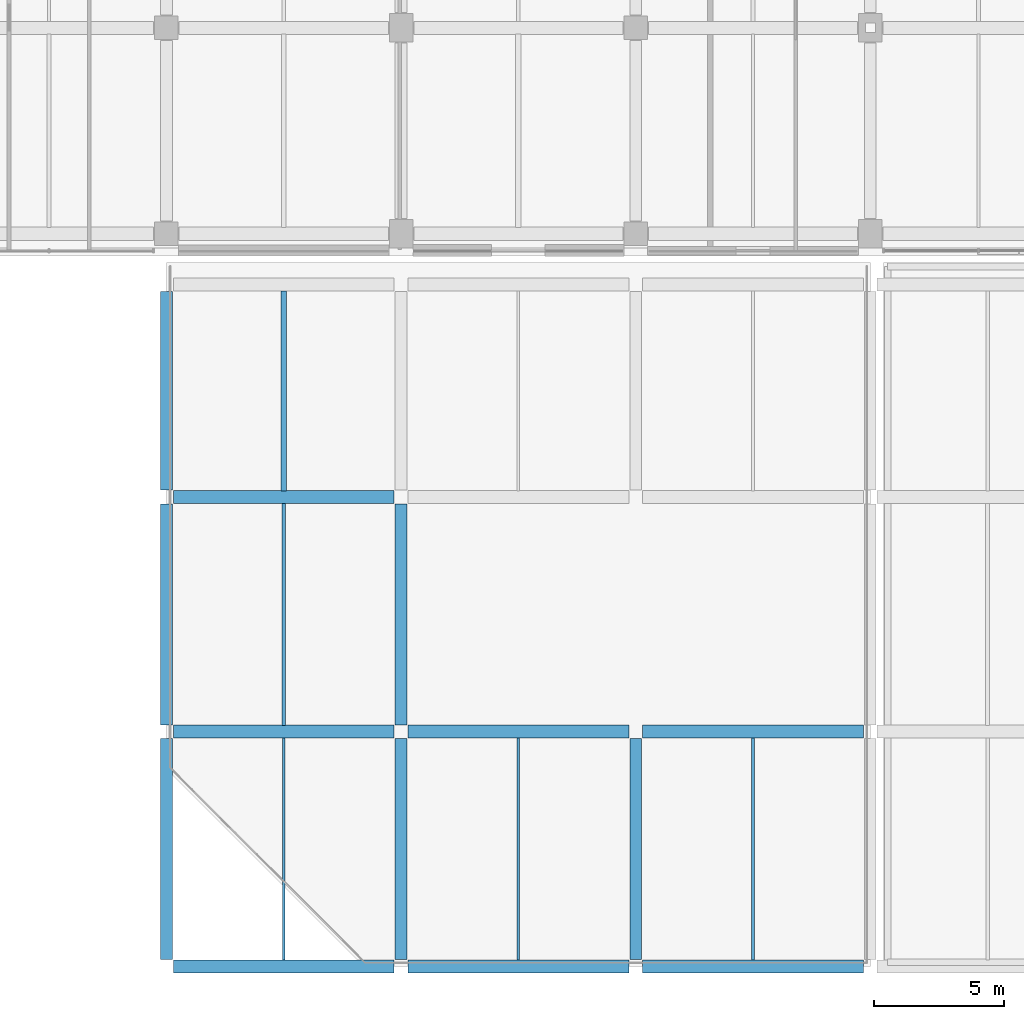
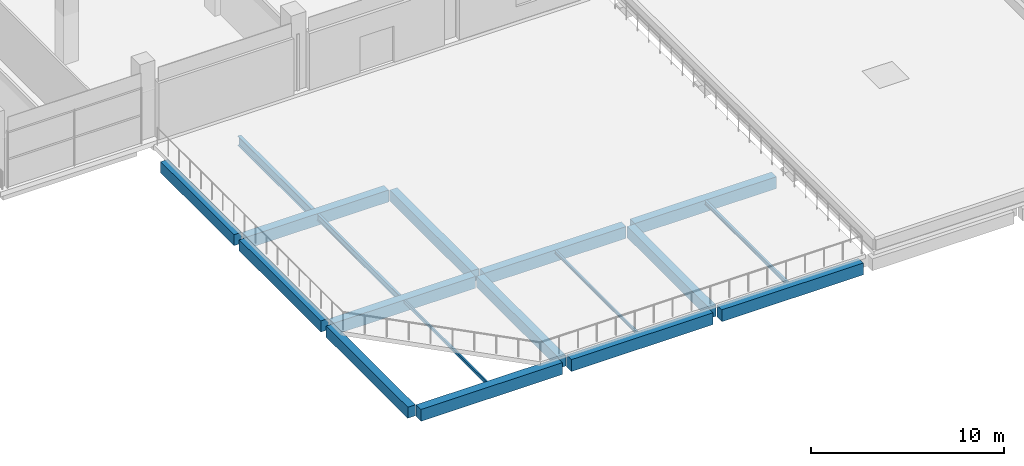
# One storey, part 3 of 82: 18 beams.
"""IFC4 building model written with IfcOpenShell, lengths in metres."""

import ifcopenshell
import ifcopenshell.guid

model = None  # the IFC model being written
_history = None  # IfcOwnerHistory: only IFC2X3 demands one
_inside = {}  # id of a spatial element -> (the spatial element, [elements in it])
_under = {}  # id of a project, library or spatial element -> (it, [spatial elements below it])
_declared = {}  # id of a project -> (the project, [libraries it declares])
_typed = {}  # id of a type object -> (the type object, [elements of that type])
_made_of = {}  # id of a material, layer set ... -> (it, [elements and type objects made of it])


def new_model(schema):
    """Start an empty IFC model of exactly this schema.

    Asked for "IFC4X3", IfcOpenShell would pick the latest addendum, in which some entities
    have other attributes; the version numbers below select the first issue.
    IFC2X3 requires an IfcOwnerHistory on every rooted entity: one is made here for all.
    """
    global model, _history
    if schema == "IFC4X3":
        model = ifcopenshell.file(schema_version=(4, 3, 0, 0))
    else:
        model = ifcopenshell.file(schema=schema)
    _inside.clear()
    _under.clear()
    _declared.clear()
    _typed.clear()
    _made_of.clear()
    _history = None
    if model.schema == "IFC2X3":
        org = make("IfcOrganization", Name="unknown")
        user = make(
            "IfcPersonAndOrganization",
            ThePerson=make("IfcPerson", FamilyName="unknown"),
            TheOrganization=org,
        )
        app = make(
            "IfcApplication",
            ApplicationDeveloper=org,
            Version="unknown",
            ApplicationFullName="unknown",
            ApplicationIdentifier="unknown",
        )
        _history = make(
            "IfcOwnerHistory",
            OwningUser=user,
            OwningApplication=app,
            ChangeAction="ADDED",
            CreationDate=0,
        )
    return model


def make(cls, **values):
    """One entity of the class cls with the attributes given. An attribute that is None is left unset."""
    return model.create_entity(
        cls, **{name: value for name, value in values.items() if value is not None}
    )


def rooted(cls, **values):
    """An entity with a GlobalId (a new one), such as an element, a storey or a relation."""
    return make(cls, GlobalId=ifcopenshell.guid.new(), OwnerHistory=_history, **values)


def si_unit(unit_type, name, prefix=None):
    """IfcSIUnit, for example si_unit("LENGTHUNIT", "METRE", prefix="MILLI")."""
    return make("IfcSIUnit", UnitType=unit_type, Prefix=prefix, Name=name)


def assignment(units):
    """IfcUnitAssignment: the units of a project."""
    return None if units is None else make("IfcUnitAssignment", Units=units)


def point(xyz):
    """IfcCartesianPoint."""
    return None if xyz is None else make("IfcCartesianPoint", Coordinates=xyz)


def direction(xyz):
    """IfcDirection."""
    return None if xyz is None else make("IfcDirection", DirectionRatios=xyz)


def frame(location, z_axis=None, x_axis=None):
    """IfcAxis2Placement3D, a coordinate frame: its origin and axes. An axis left out is left unset."""
    return make(
        "IfcAxis2Placement3D",
        Location=point(location),
        Axis=direction(z_axis),
        RefDirection=direction(x_axis),
    )


def frame_2d(location, x_axis=None):
    """IfcAxis2Placement2D, a coordinate frame in the plane: its origin and x axis."""
    return make(
        "IfcAxis2Placement2D", Location=point(location), RefDirection=direction(x_axis)
    )


def origin():
    """The frame at (0, 0, 0) with its axes left unset."""
    return frame((0.0, 0.0, 0.0))


def origin_2d():
    """The frame at (0, 0) in the plane with its x axis left unset."""
    return frame_2d((0.0, 0.0))


def place(relative_to, where):
    """IfcLocalPlacement: puts the frame where relative to a parent placement (None: the world)."""
    return make(
        "IfcLocalPlacement", PlacementRelTo=relative_to, RelativePlacement=where
    )


def context(
    kind, dimensions, precision=None, world=None, true_north=None, identifier=None
):
    """IfcGeometricRepresentationContext, for example the 3D "Model" context."""
    return make(
        "IfcGeometricRepresentationContext",
        ContextIdentifier=identifier,
        ContextType=kind,
        CoordinateSpaceDimension=dimensions,
        Precision=precision,
        WorldCoordinateSystem=world,
        TrueNorth=true_north,
    )


def subcontext(parent, identifier, kind, view, scale=None):
    """IfcGeometricRepresentationSubContext, for example "Body" below "Model"."""
    return make(
        "IfcGeometricRepresentationSubContext",
        ContextIdentifier=identifier,
        ContextType=kind,
        ParentContext=parent,
        TargetScale=scale,
        TargetView=view,
    )


def project(units=None, contexts=None):
    """IfcProject with its units and contexts."""
    return rooted(
        "IfcProject",
        Name="project",
        RepresentationContexts=contexts,
        UnitsInContext=assignment(units),
    )


def spatial(cls, under=None, at=None, **own):
    """A site, building, storey or space (cls), placed at a placement, below another one or the project."""
    s = rooted(cls, ObjectPlacement=at, **own)
    if under is not None:
        _under.setdefault(under.id(), (under, []))[1].append(s)
    return s


def profile(cls, at=None, kind="AREA", **sizes):
    """A parametric profile (cls). Its sizes go by their IFC names, for example OverallWidth=200.0."""
    return make(cls, ProfileType=kind, Position=at, **sizes)


def rectangle(**sizes):
    """IfcRectangleProfileDef."""
    return profile("IfcRectangleProfileDef", **sizes)


def hollow_rectangle(**sizes):
    """IfcRectangleHollowProfileDef."""
    return profile("IfcRectangleHollowProfileDef", **sizes)


def i_section(**sizes):
    """IfcIShapeProfileDef."""
    return profile("IfcIShapeProfileDef", **sizes)


def extrude(swept, where, along, depth):
    """IfcExtrudedAreaSolid: the profile swept, set in the frame where, extruded along a direction by depth."""
    return make(
        "IfcExtrudedAreaSolid",
        SweptArea=swept,
        Position=where,
        ExtrudedDirection=direction(along),
        Depth=depth,
    )


def shape(context_of_items, identifier, shape_type, items):
    """IfcShapeRepresentation: the items that make up one representation, for example the "Body"."""
    return make(
        "IfcShapeRepresentation",
        ContextOfItems=context_of_items,
        RepresentationIdentifier=identifier,
        RepresentationType=shape_type,
        Items=items,
    )


def material(Name=None, Category=None):
    """IfcMaterial."""
    return make("IfcMaterial", Name=Name, Category=Category)


def material_profile(
    of_material, cross_section, Name=None, Category=None, Priority=None
):
    """IfcMaterialProfile: a cross section and its material."""
    return make(
        "IfcMaterialProfile",
        Name=Name,
        Material=of_material,
        Profile=cross_section,
        Priority=Priority,
        Category=Category,
    )


def profile_set(profiles, Name=None, composite=None):
    """IfcMaterialProfileSet."""
    return make(
        "IfcMaterialProfileSet",
        Name=Name,
        MaterialProfiles=profiles,
        CompositeProfile=composite,
    )


def made_of(thing, what):
    """Note that an element or type object is made of a material, layer set ...; save() writes the relation."""
    if what is not None:
        _made_of.setdefault(what.id(), (what, []))[1].append(thing)
    return thing


def type_object(cls, material=None, **own):
    """A type object (cls), such as IfcWallType, which elements share."""
    return made_of(rooted(cls, **own), material)


def element(
    cls,
    number,
    at=None,
    inside=None,
    cuts=None,
    type_object=None,
    material=None,
    context=None,
    identifier="Body",
    shape_type=None,
    held_by="IfcProductDefinitionShape",
    body=None,
    shapes=None,
    **own,
):
    """One element of the class cls, such as IfcWall. Its Tag is "e" and its number.

    at: its placement. inside: the storey or other place that contains it. cuts: it is an
    opening in that element (IfcRelVoidsElement). A single representation is given by context,
    identifier, shape_type and body (its items); several are given by shapes. held_by: the class
    of the entity that holds the representations. save() writes the other relations.
    """
    e = rooted(cls, Tag="e%d" % number, ObjectPlacement=at, **own)
    if body is not None:
        shapes = [shape(context, identifier, shape_type, body)]
    if shapes is not None:
        e.Representation = make(held_by, Representations=shapes)
    if inside is not None:
        _inside.setdefault(inside.id(), (inside, []))[1].append(e)
    if cuts is not None:
        rooted(
            "IfcRelVoidsElement", RelatingBuildingElement=cuts, RelatedOpeningElement=e
        )
    if type_object is not None:
        _typed.setdefault(type_object.id(), (type_object, []))[1].append(e)
    return made_of(e, material)


def aggregate(whole, parts):
    """IfcRelAggregates: a whole, such as a stair, and the parts it consists of."""
    return rooted("IfcRelAggregates", RelatingObject=whole, RelatedObjects=parts)


def save(model, path):
    """Write the relations noted so far, then the file.

    IfcRelAggregates (storeys below a building ...), IfcRelContainedInSpatialStructure (elements
    in a storey), IfcRelDefinesByType, IfcRelAssociatesMaterial and IfcRelDeclares: one each for
    every whole, place, type object, material and project.
    """
    for whole, parts in _under.values():
        aggregate(whole, parts)
    for where, things in _inside.values():
        rooted(
            "IfcRelContainedInSpatialStructure",
            RelatedElements=things,
            RelatingStructure=where,
        )
    for kind, things in _typed.values():
        rooted("IfcRelDefinesByType", RelatedObjects=things, RelatingType=kind)
    for what, things in _made_of.values():
        rooted("IfcRelAssociatesMaterial", RelatedObjects=things, RelatingMaterial=what)
    for by, libraries in _declared.values():
        rooted("IfcRelDeclares", RelatingContext=by, RelatedDefinitions=libraries)
    model.write(path)


model = new_model("IFC4")

# Units and contexts
model_context = context("Model", 3, precision=1e-05, world=origin(), true_north=direction((0.0, 1.0)))
body_context = subcontext(model_context, "Body", "Model", "MODEL_VIEW")
ifc_project = project(units=[si_unit("LENGTHUNIT", "METRE"), si_unit("AREAUNIT", "SQUARE_METRE"), si_unit("VOLUMEUNIT", "CUBIC_METRE"), si_unit("PLANEANGLEUNIT", "RADIAN"), si_unit("MASSUNIT", "GRAM", prefix="KILO"), si_unit("THERMODYNAMICTEMPERATUREUNIT", "KELVIN"), si_unit("POWERUNIT", "WATT")], contexts=[model_context])

# Site, building, storey
site_placement = place(None, origin())
site = spatial("IfcSite", under=ifc_project, at=site_placement, CompositionType="ELEMENT")
building_placement = place(site_placement, origin())
building = spatial("IfcBuilding", under=site, at=building_placement, Name="Sindhuravela Promenade Stadium", CompositionType="ELEMENT")
storey_placement = place(building_placement, frame((0.0, 0.0, 14.39990234375)))
storey = spatial("IfcBuildingStorey", under=building, at=storey_placement, Name="L03", CompositionType="ELEMENT", Elevation=14.39990234375)

# Beams
ifc_material_1 = material(Name="Concrete M40", Category="concrete")
ifc_material_profile_1 = material_profile(ifc_material_1, rectangle(XDim=0.449951171875, YDim=0.699951171875, at=origin_2d()), Name="RC 450x700")
ifc_profile_set_1 = profile_set([ifc_material_profile_1], Name="Concrete M40")
beam_type_1 = type_object("IfcBeamType", Name="RC-BM-450x700", PredefinedType="BEAM", material=ifc_profile_set_1)
for number, where, z_axis, x_axis, name in (
    (1, (9.0, 9.264892578125, -0.659912109375), (0.0, 1.0, 0.0), (-1.0, 0.0, 0.0), "Primary beam GB07 Pavilion SW L03"),
    (2, (9.0, 18.264892578125, -0.659912109375), (0.0, 1.0, 0.0), (-1.0, 0.0, 0.0), "Primary beam GB07 Pavilion SW L03"),
):
    element("IfcBeam", number, at=place(storey_placement, frame(where, z_axis=z_axis, x_axis=x_axis)), inside=storey, type_object=beam_type_1, Name=name, PredefinedType="BEAM", context=body_context, shape_type="SweptSolid", body=[
        extrude(rectangle(XDim=0.449951171875, YDim=0.699951171875, at=origin_2d()), origin(), (0.0, 0.0, 1.0), 8.47021484375),
    ])
beam_1_placement = place(storey_placement, frame((9.0, 27.264892578125, -0.659912109375), z_axis=(0.0, 1.0, 0.0), x_axis=(-1.0, 0.0, 0.0)))
element("IfcBeam", 3, at=beam_1_placement, inside=storey, type_object=beam_type_1, Name="Primary beam GB07 Pavilion SW L03", PredefinedType="BEAM", context=body_context, shape_type="SweptSolid", body=[
    extrude(rectangle(XDim=0.449951171875, YDim=0.699951171875, at=origin_2d()), origin(), (0.0, 0.0, 1.0), 7.6201171875),
])
for number, where, z_axis, x_axis, name in (
    (4, (18.0, 9.264892578125, -0.659912109375), (0.0, 1.0, 0.0), (-1.0, 0.0, 0.0), "Primary beam GB07 Pavilion SW L03"),
    (5, (18.0, 18.264892578125, -0.659912109375), (0.0, 1.0, 0.0), (-1.0, 0.0, 0.0), "Primary beam GB07 Pavilion SW L03"),
    (6, (27.0, 9.264892578125, -0.659912109375), (0.0, 1.0, 0.0), (-1.0, 0.0, 0.0), "Primary beam GB07 Pavilion SW L03"),
):
    element("IfcBeam", number, at=place(storey_placement, frame(where, z_axis=z_axis, x_axis=x_axis)), inside=storey, type_object=beam_type_1, Name=name, PredefinedType="BEAM", context=body_context, shape_type="SweptSolid", body=[
        extrude(rectangle(XDim=0.449951171875, YDim=0.699951171875, at=origin_2d()), origin(), (0.0, 0.0, 1.0), 8.47021484375),
    ])
ifc_material_profile_2 = material_profile(ifc_material_1, rectangle(XDim=0.5, YDim=0.75, at=origin_2d()), Name="RC 500x750")
ifc_profile_set_2 = profile_set([ifc_material_profile_2], Name="Concrete M40")
beam_type_2 = type_object("IfcBeamType", Name="RC-BM-500x750", PredefinedType="BEAM", material=ifc_profile_set_2)
for number, where, z_axis, x_axis, name in (
    (7, (9.264892578125, 9.0, -0.684814453125), (1.0, 0.0, 0.0), (0.0, 1.0, 0.0), "Primary girder GB06 Pavilion SW L03"),
    (8, (18.264892578125, 9.0, -0.684814453125), (1.0, 0.0, 0.0), (0.0, 1.0, 0.0), "Primary girder GB06 Pavilion SW L03"),
    (9, (27.264892578125, 9.0, -0.684814453125), (1.0, 0.0, 0.0), (0.0, 1.0, 0.0), "Primary girder GB06 Pavilion SW L03"),
    (10, (9.264892578125, 18.0, -0.684814453125), (1.0, 0.0, 0.0), (0.0, 1.0, 0.0), "Primary girder GB06 Pavilion SW L03"),
    (11, (18.264892578125, 18.0, -0.684814453125), (1.0, 0.0, 0.0), (0.0, 1.0, 0.0), "Primary girder GB06 Pavilion SW L03"),
    (12, (27.264892578125, 18.0, -0.684814453125), (1.0, 0.0, 0.0), (0.0, 1.0, 0.0), "Primary girder GB06 Pavilion SW L03"),
    (13, (9.264892578125, 27.0, -0.684814453125), (1.0, 0.0, 0.0), (0.0, 1.0, 0.0), "Primary girder GB06 Pavilion SW L03"),
):
    element("IfcBeam", number, at=place(storey_placement, frame(where, z_axis=z_axis, x_axis=x_axis)), inside=storey, type_object=beam_type_2, Name=name, PredefinedType="BEAM", context=body_context, shape_type="SweptSolid", body=[
        extrude(rectangle(XDim=0.5, YDim=0.75, at=origin_2d()), origin(), (0.0, 0.0, 1.0), 8.47021484375),
    ])
ifc_material_2 = material(Name="Steel E350 (IS 2062 E350BR)", Category="steel")
ifc_material_profile_3 = material_profile(ifc_material_2, hollow_rectangle(XDim=0.10009765625, YDim=0.199951171875, WallThickness=0.008056640625, at=origin_2d()), Name="RHS 200x100x8")
ifc_profile_set_3 = profile_set([ifc_material_profile_3], Name="Steel E350 (IS 2062 E350BR)")
beam_type_3 = type_object("IfcBeamType", Name="ST-BM-LNT200", PredefinedType="LINTEL", material=ifc_profile_set_3)
beam_2_placement = place(storey_placement, frame((13.5, 9.239990234375, -0.409912109375), z_axis=(0.0, 1.0, 0.0), x_axis=(-1.0, 0.0, 0.0)))
element("IfcBeam", 14, at=beam_2_placement, inside=storey, type_object=beam_type_3, Name="Secondary floor joist LN01 Pavilion SW L03", PredefinedType="LINTEL", context=body_context, shape_type="SweptSolid", body=[
    extrude(hollow_rectangle(XDim=0.10009765625, YDim=0.199951171875, WallThickness=0.008056640625, at=origin_2d()), origin(), (0.0, 0.0, 1.0), 8.52001953125),
])
ifc_material_profile_4 = material_profile(ifc_material_2, i_section(OverallWidth=0.10009765625, OverallDepth=0.199951171875, WebThickness=0.005615234375, FlangeThickness=0.0107421875, FilletRadius=0.010986328125, at=origin_2d()), Name="ISMB 200")
ifc_profile_set_4 = profile_set([ifc_material_profile_4], Name="Steel E350 (IS 2062 E350BR)")
beam_type_4 = type_object("IfcBeamType", Name="ST-BM-MB200", PredefinedType="JOIST", material=ifc_profile_set_4)
beam_3_placement = place(storey_placement, frame((22.5, 9.239990234375, -0.409912109375), z_axis=(0.0, 1.0, 0.0), x_axis=(-1.0, 0.0, 0.0)))
element("IfcBeam", 15, at=beam_3_placement, inside=storey, type_object=beam_type_4, Name="Secondary floor joist SB01 Pavilion SW L03", PredefinedType="JOIST", context=body_context, shape_type="SweptSolid", body=[
    extrude(i_section(OverallWidth=0.10009765625, OverallDepth=0.199951171875, WebThickness=0.005615234375, FlangeThickness=0.0107421875, FilletRadius=0.010986328125, at=origin_2d()), origin(), (0.0, 0.0, 1.0), 8.52001953125),
])
ifc_material_profile_5 = material_profile(ifc_material_2, i_section(OverallWidth=0.125, OverallDepth=0.25, WebThickness=0.0068359375, FlangeThickness=0.012451171875, FilletRadius=0.012939453125, at=origin_2d()), Name="ISMB 250")
ifc_profile_set_5 = profile_set([ifc_material_profile_5], Name="Steel E350 (IS 2062 E350BR)")
beam_type_5 = type_object("IfcBeamType", Name="ST-BM-MB250", PredefinedType="JOIST", material=ifc_profile_set_5)
beam_4_placement = place(storey_placement, frame((31.5, 9.239990234375, -0.434814453125), z_axis=(0.0, 1.0, 0.0), x_axis=(-1.0, 0.0, 0.0)))
element("IfcBeam", 16, at=beam_4_placement, inside=storey, type_object=beam_type_5, Name="Secondary floor joist SB02 Pavilion SW L03", PredefinedType="JOIST", context=body_context, shape_type="SweptSolid", body=[
    extrude(i_section(OverallWidth=0.125, OverallDepth=0.25, WebThickness=0.0068359375, FlangeThickness=0.012451171875, FilletRadius=0.012939453125, at=origin_2d()), origin(), (0.0, 0.0, 1.0), 8.52001953125),
])
ifc_material_profile_6 = material_profile(ifc_material_2, i_section(OverallWidth=0.139892578125, OverallDepth=0.39990234375, WebThickness=0.0087890625, FlangeThickness=0.01611328125, FilletRadius=0.013916015625, at=origin_2d()), Name="ISMB 400")
ifc_profile_set_6 = profile_set([ifc_material_profile_6], Name="Steel E350 (IS 2062 E350BR)")
beam_type_6 = type_object("IfcBeamType", Name="ST-BM-MB400", PredefinedType="BEAM", material=ifc_profile_set_6)
beam_5_placement = place(storey_placement, frame((13.5, 18.239990234375, -0.510009765625), z_axis=(0.0, 1.0, 0.0), x_axis=(-1.0, 0.0, 0.0)))
element("IfcBeam", 17, at=beam_5_placement, inside=storey, type_object=beam_type_6, Name="Secondary floor joist SB05 Pavilion SW L03", PredefinedType="BEAM", context=body_context, shape_type="SweptSolid", body=[
    extrude(i_section(OverallWidth=0.139892578125, OverallDepth=0.39990234375, WebThickness=0.0087890625, FlangeThickness=0.01611328125, FilletRadius=0.013916015625, at=origin_2d()), origin(), (0.0, 0.0, 1.0), 8.52001953125),
])
ifc_material_profile_7 = material_profile(ifc_material_2, i_section(OverallWidth=0.2099609375, OverallDepth=0.60009765625, WebThickness=0.011962890625, FlangeThickness=0.020751953125, FilletRadius=0.02001953125, at=origin_2d()), Name="ISMB 600")
ifc_profile_set_7 = profile_set([ifc_material_profile_7], Name="Steel E350 (IS 2062 E350BR)")
beam_type_7 = type_object("IfcBeamType", Name="ST-BM-MB600", PredefinedType="BEAM", material=ifc_profile_set_7)
beam_6_placement = place(storey_placement, frame((13.5, 27.239990234375, -0.60986328125), z_axis=(0.0, 1.0, 0.0), x_axis=(-1.0, 0.0, 0.0)))
element("IfcBeam", 18, at=beam_6_placement, inside=storey, type_object=beam_type_7, Name="Secondary floor joist SB09 Pavilion SW L03", PredefinedType="BEAM", context=body_context, shape_type="SweptSolid", body=[
    extrude(i_section(OverallWidth=0.2099609375, OverallDepth=0.60009765625, WebThickness=0.011962890625, FlangeThickness=0.020751953125, FilletRadius=0.02001953125, at=origin_2d()), origin(), (0.0, 0.0, 1.0), 7.669921875),
])

save(model, "model.ifc")
